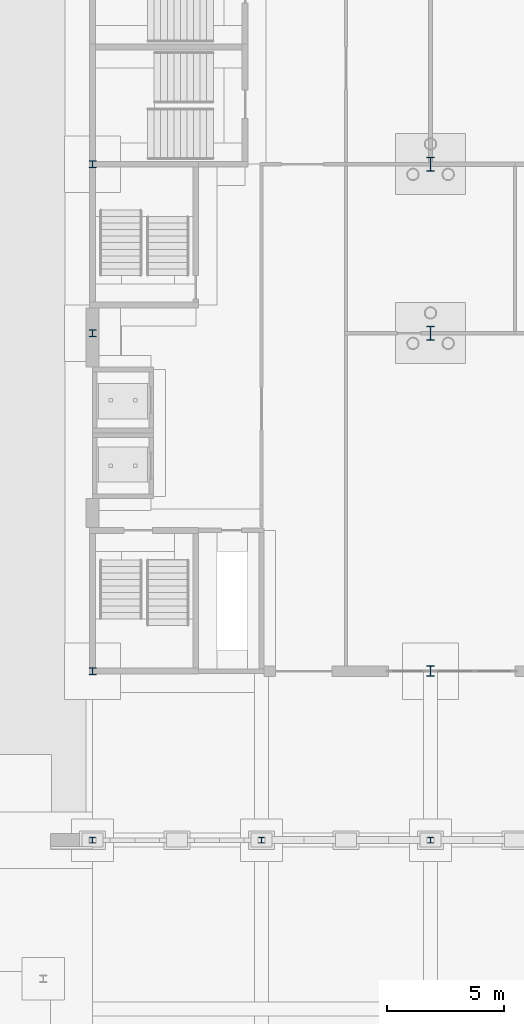
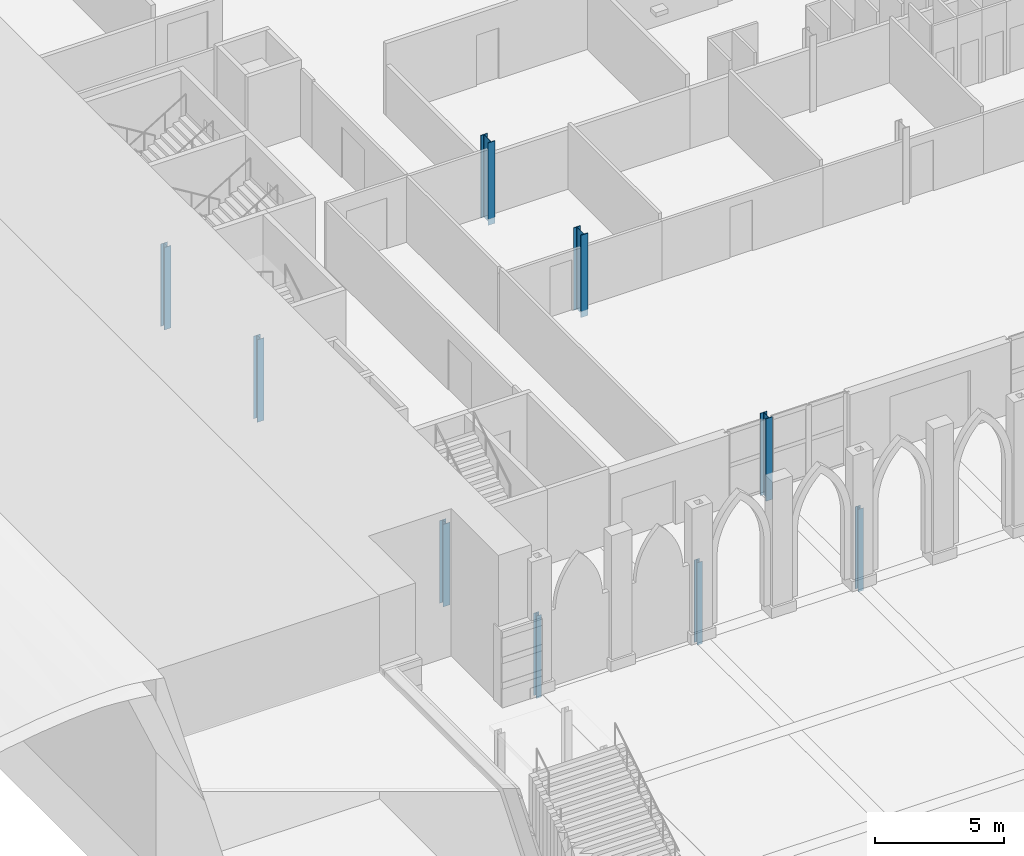
# One storey, part 38 of 148: 9 columns.
"""IFC4 building model written with IfcOpenShell, lengths in metres."""

import ifcopenshell
import ifcopenshell.guid

model = None  # the IFC model being written
_history = None  # IfcOwnerHistory: only IFC2X3 demands one
_inside = {}  # id of a spatial element -> (the spatial element, [elements in it])
_under = {}  # id of a project, library or spatial element -> (it, [spatial elements below it])
_declared = {}  # id of a project -> (the project, [libraries it declares])
_typed = {}  # id of a type object -> (the type object, [elements of that type])
_made_of = {}  # id of a material, layer set ... -> (it, [elements and type objects made of it])


def new_model(schema):
    """Start an empty IFC model of exactly this schema.

    Asked for "IFC4X3", IfcOpenShell would pick the latest addendum, in which some entities
    have other attributes; the version numbers below select the first issue.
    IFC2X3 requires an IfcOwnerHistory on every rooted entity: one is made here for all.
    """
    global model, _history
    if schema == "IFC4X3":
        model = ifcopenshell.file(schema_version=(4, 3, 0, 0))
    else:
        model = ifcopenshell.file(schema=schema)
    _inside.clear()
    _under.clear()
    _declared.clear()
    _typed.clear()
    _made_of.clear()
    _history = None
    if model.schema == "IFC2X3":
        org = make("IfcOrganization", Name="unknown")
        user = make(
            "IfcPersonAndOrganization",
            ThePerson=make("IfcPerson", FamilyName="unknown"),
            TheOrganization=org,
        )
        app = make(
            "IfcApplication",
            ApplicationDeveloper=org,
            Version="unknown",
            ApplicationFullName="unknown",
            ApplicationIdentifier="unknown",
        )
        _history = make(
            "IfcOwnerHistory",
            OwningUser=user,
            OwningApplication=app,
            ChangeAction="ADDED",
            CreationDate=0,
        )
    return model


def make(cls, **values):
    """One entity of the class cls with the attributes given. An attribute that is None is left unset."""
    return model.create_entity(
        cls, **{name: value for name, value in values.items() if value is not None}
    )


def rooted(cls, **values):
    """An entity with a GlobalId (a new one), such as an element, a storey or a relation."""
    return make(cls, GlobalId=ifcopenshell.guid.new(), OwnerHistory=_history, **values)


def si_unit(unit_type, name, prefix=None):
    """IfcSIUnit, for example si_unit("LENGTHUNIT", "METRE", prefix="MILLI")."""
    return make("IfcSIUnit", UnitType=unit_type, Prefix=prefix, Name=name)


def assignment(units):
    """IfcUnitAssignment: the units of a project."""
    return None if units is None else make("IfcUnitAssignment", Units=units)


def point(xyz):
    """IfcCartesianPoint."""
    return None if xyz is None else make("IfcCartesianPoint", Coordinates=xyz)


def direction(xyz):
    """IfcDirection."""
    return None if xyz is None else make("IfcDirection", DirectionRatios=xyz)


def frame(location, z_axis=None, x_axis=None):
    """IfcAxis2Placement3D, a coordinate frame: its origin and axes. An axis left out is left unset."""
    return make(
        "IfcAxis2Placement3D",
        Location=point(location),
        Axis=direction(z_axis),
        RefDirection=direction(x_axis),
    )


def frame_2d(location, x_axis=None):
    """IfcAxis2Placement2D, a coordinate frame in the plane: its origin and x axis."""
    return make(
        "IfcAxis2Placement2D", Location=point(location), RefDirection=direction(x_axis)
    )


def origin():
    """The frame at (0, 0, 0) with its axes left unset."""
    return frame((0.0, 0.0, 0.0))


def origin_2d():
    """The frame at (0, 0) in the plane with its x axis left unset."""
    return frame_2d((0.0, 0.0))


def place(relative_to, where):
    """IfcLocalPlacement: puts the frame where relative to a parent placement (None: the world)."""
    return make(
        "IfcLocalPlacement", PlacementRelTo=relative_to, RelativePlacement=where
    )


def context(
    kind, dimensions, precision=None, world=None, true_north=None, identifier=None
):
    """IfcGeometricRepresentationContext, for example the 3D "Model" context."""
    return make(
        "IfcGeometricRepresentationContext",
        ContextIdentifier=identifier,
        ContextType=kind,
        CoordinateSpaceDimension=dimensions,
        Precision=precision,
        WorldCoordinateSystem=world,
        TrueNorth=true_north,
    )


def subcontext(parent, identifier, kind, view, scale=None):
    """IfcGeometricRepresentationSubContext, for example "Body" below "Model"."""
    return make(
        "IfcGeometricRepresentationSubContext",
        ContextIdentifier=identifier,
        ContextType=kind,
        ParentContext=parent,
        TargetScale=scale,
        TargetView=view,
    )


def project(units=None, contexts=None):
    """IfcProject with its units and contexts."""
    return rooted(
        "IfcProject",
        Name="project",
        RepresentationContexts=contexts,
        UnitsInContext=assignment(units),
    )


def spatial(cls, under=None, at=None, **own):
    """A site, building, storey or space (cls), placed at a placement, below another one or the project."""
    s = rooted(cls, ObjectPlacement=at, **own)
    if under is not None:
        _under.setdefault(under.id(), (under, []))[1].append(s)
    return s


def profile(cls, at=None, kind="AREA", **sizes):
    """A parametric profile (cls). Its sizes go by their IFC names, for example OverallWidth=200.0."""
    return make(cls, ProfileType=kind, Position=at, **sizes)


def i_section(**sizes):
    """IfcIShapeProfileDef."""
    return profile("IfcIShapeProfileDef", **sizes)


def extrude(swept, where, along, depth):
    """IfcExtrudedAreaSolid: the profile swept, set in the frame where, extruded along a direction by depth."""
    return make(
        "IfcExtrudedAreaSolid",
        SweptArea=swept,
        Position=where,
        ExtrudedDirection=direction(along),
        Depth=depth,
    )


def shape(context_of_items, identifier, shape_type, items):
    """IfcShapeRepresentation: the items that make up one representation, for example the "Body"."""
    return make(
        "IfcShapeRepresentation",
        ContextOfItems=context_of_items,
        RepresentationIdentifier=identifier,
        RepresentationType=shape_type,
        Items=items,
    )


def material(Name=None, Category=None):
    """IfcMaterial."""
    return make("IfcMaterial", Name=Name, Category=Category)


def material_profile(
    of_material, cross_section, Name=None, Category=None, Priority=None
):
    """IfcMaterialProfile: a cross section and its material."""
    return make(
        "IfcMaterialProfile",
        Name=Name,
        Material=of_material,
        Profile=cross_section,
        Priority=Priority,
        Category=Category,
    )


def profile_set(profiles, Name=None, composite=None):
    """IfcMaterialProfileSet."""
    return make(
        "IfcMaterialProfileSet",
        Name=Name,
        MaterialProfiles=profiles,
        CompositeProfile=composite,
    )


def made_of(thing, what):
    """Note that an element or type object is made of a material, layer set ...; save() writes the relation."""
    if what is not None:
        _made_of.setdefault(what.id(), (what, []))[1].append(thing)
    return thing


def type_object(cls, material=None, **own):
    """A type object (cls), such as IfcWallType, which elements share."""
    return made_of(rooted(cls, **own), material)


def element(
    cls,
    number,
    at=None,
    inside=None,
    cuts=None,
    type_object=None,
    material=None,
    context=None,
    identifier="Body",
    shape_type=None,
    held_by="IfcProductDefinitionShape",
    body=None,
    shapes=None,
    **own,
):
    """One element of the class cls, such as IfcWall. Its Tag is "e" and its number.

    at: its placement. inside: the storey or other place that contains it. cuts: it is an
    opening in that element (IfcRelVoidsElement). A single representation is given by context,
    identifier, shape_type and body (its items); several are given by shapes. held_by: the class
    of the entity that holds the representations. save() writes the other relations.
    """
    e = rooted(cls, Tag="e%d" % number, ObjectPlacement=at, **own)
    if body is not None:
        shapes = [shape(context, identifier, shape_type, body)]
    if shapes is not None:
        e.Representation = make(held_by, Representations=shapes)
    if inside is not None:
        _inside.setdefault(inside.id(), (inside, []))[1].append(e)
    if cuts is not None:
        rooted(
            "IfcRelVoidsElement", RelatingBuildingElement=cuts, RelatedOpeningElement=e
        )
    if type_object is not None:
        _typed.setdefault(type_object.id(), (type_object, []))[1].append(e)
    return made_of(e, material)


def aggregate(whole, parts):
    """IfcRelAggregates: a whole, such as a stair, and the parts it consists of."""
    return rooted("IfcRelAggregates", RelatingObject=whole, RelatedObjects=parts)


def save(model, path):
    """Write the relations noted so far, then the file.

    IfcRelAggregates (storeys below a building ...), IfcRelContainedInSpatialStructure (elements
    in a storey), IfcRelDefinesByType, IfcRelAssociatesMaterial and IfcRelDeclares: one each for
    every whole, place, type object, material and project.
    """
    for whole, parts in _under.values():
        aggregate(whole, parts)
    for where, things in _inside.values():
        rooted(
            "IfcRelContainedInSpatialStructure",
            RelatedElements=things,
            RelatingStructure=where,
        )
    for kind, things in _typed.values():
        rooted("IfcRelDefinesByType", RelatedObjects=things, RelatingType=kind)
    for what, things in _made_of.values():
        rooted("IfcRelAssociatesMaterial", RelatedObjects=things, RelatingMaterial=what)
    for by, libraries in _declared.values():
        rooted("IfcRelDeclares", RelatingContext=by, RelatedDefinitions=libraries)
    model.write(path)


model = new_model("IFC4")

# Units and contexts
model_context = context("Model", 3, precision=1e-05, world=origin(), true_north=direction((0.0, 1.0)))
body_context = subcontext(model_context, "Body", "Model", "MODEL_VIEW")
ifc_project = project(units=[si_unit("LENGTHUNIT", "METRE"), si_unit("AREAUNIT", "SQUARE_METRE"), si_unit("VOLUMEUNIT", "CUBIC_METRE"), si_unit("PLANEANGLEUNIT", "RADIAN"), si_unit("MASSUNIT", "GRAM", prefix="KILO")], contexts=[model_context])

# Site, building, storey
site_placement = place(None, origin())
site = spatial("IfcSite", under=ifc_project, at=site_placement, CompositionType="ELEMENT")
building_placement = place(site_placement, origin())
building = spatial("IfcBuilding", under=site, at=building_placement, Name="Kupolbacken Congress Centre", CompositionType="ELEMENT")
storey_placement = place(building_placement, origin())
storey = spatial("IfcBuildingStorey", under=building, at=storey_placement, Name="L00", CompositionType="ELEMENT", Elevation=0.0)

# Columns
ifc_material_1 = material(Name="Steel S355", Category="steel")
ifc_material_profile_1 = material_profile(ifc_material_1, i_section(OverallWidth=0.300048828125, OverallDepth=0.449951171875, WebThickness=0.013916015625, FlangeThickness=0.02587890625, FilletRadius=0.027099609375, at=origin_2d()), Name="HEB 450")
ifc_profile_set_1 = profile_set([ifc_material_profile_1], Name="Steel S355")
column_type_1 = type_object("IfcColumnType", Name="C03 column HEB 450", PredefinedType="COLUMN", material=ifc_profile_set_1)
column_placement = place(storey_placement, frame((21.60009765625, 28.800048828125, -0.300048828125), z_axis=(0.0, 0.0, 1.0), x_axis=(1.0, 0.0, 0.0)))
element("IfcColumn", 1, at=column_placement, inside=storey, type_object=column_type_1, Name="S/col/C-F-4E/L00", PredefinedType="COLUMN", context=body_context, shape_type="SweptSolid", body=[
    extrude(i_section(OverallWidth=0.300048828125, OverallDepth=0.449951171875, WebThickness=0.013916015625, FlangeThickness=0.02587890625, FilletRadius=0.027099609375, at=origin_2d()), origin(), (0.0, 0.0, 1.0), 3.900146484375),
])
ifc_material_2 = material(Name="Steel S355", Category="steel")
ifc_material_profile_2 = material_profile(ifc_material_2, i_section(OverallWidth=0.300048828125, OverallDepth=0.60009765625, WebThickness=0.015380859375, FlangeThickness=0.030029296875, FilletRadius=0.027099609375, at=origin_2d()), Name="HEB 600")
ifc_profile_set_2 = profile_set([ifc_material_profile_2], Name="Steel S355")
column_type_2 = type_object("IfcColumnType", Name="C05 column HEB 600", PredefinedType="COLUMN", material=ifc_profile_set_2)
for number, where, z_axis, x_axis, name in (
    (2, (21.60009765625, 43.199951171875, -0.300048828125), (0.0, 0.0, 1.0), (1.0, 0.0, 0.0), "S/col/C-F-4G/L00"),
    (3, (21.60009765625, 50.39990234375, -0.300048828125), (0.0, 0.0, 1.0), (1.0, 0.0, 0.0), "S/col/C-F-4H/L00"),
):
    element("IfcColumn", number, at=place(storey_placement, frame(where, z_axis=z_axis, x_axis=x_axis)), inside=storey, type_object=column_type_2, Name=name, PredefinedType="COLUMN", context=body_context, shape_type="SweptSolid", body=[
        extrude(i_section(OverallWidth=0.300048828125, OverallDepth=0.60009765625, WebThickness=0.015380859375, FlangeThickness=0.030029296875, FilletRadius=0.027099609375, at=origin_2d()), origin(), (0.0, 0.0, 1.0), 3.900146484375),
    ])
ifc_material_3 = material(Name="Steel S355", Category="steel")
ifc_material_profile_3 = material_profile(ifc_material_3, i_section(OverallWidth=0.300048828125, OverallDepth=0.300048828125, WebThickness=0.010986328125, FlangeThickness=0.01904296875, FilletRadius=0.027099609375, at=origin_2d()), Name="HEB 300")
ifc_profile_set_3 = profile_set([ifc_material_profile_3], Name="Steel S355")
column_type_3 = type_object("IfcColumnType", Name="C06 column HEB 300", PredefinedType="COLUMN", material=ifc_profile_set_3)
for number, where, z_axis, x_axis, name in (
    (4, (7.199951171875, 28.800048828125, -0.300048828125), (0.0, 0.0, 1.0), (1.0, 0.0, 0.0), "S/col/C-F-2E/L00"),
    (5, (7.199951171875, 43.199951171875, -0.300048828125), (0.0, 0.0, 1.0), (1.0, 0.0, 0.0), "S/col/C-F-2G/L00"),
    (6, (7.199951171875, 50.39990234375, -0.300048828125), (0.0, 0.0, 1.0), (1.0, 0.0, 0.0), "S/col/C-F-2H/L00"),
):
    element("IfcColumn", number, at=place(storey_placement, frame(where, z_axis=z_axis, x_axis=x_axis)), inside=storey, type_object=column_type_3, Name=name, PredefinedType="COLUMN", context=body_context, shape_type="SweptSolid", body=[
        extrude(i_section(OverallWidth=0.300048828125, OverallDepth=0.300048828125, WebThickness=0.010986328125, FlangeThickness=0.01904296875, FilletRadius=0.027099609375, at=origin_2d()), origin(), (0.0, 0.0, 1.0), 3.900146484375),
    ])
ifc_material_4 = material(Name="Steel S355", Category="steel")
ifc_material_profile_4 = material_profile(ifc_material_4, i_section(OverallWidth=0.239990234375, OverallDepth=0.22998046875, WebThickness=0.007568359375, FlangeThickness=0.011962890625, FilletRadius=0.02099609375, at=origin_2d()), Name="HEA 240")
ifc_profile_set_4 = profile_set([ifc_material_profile_4], Name="Steel S355")
column_type_4 = type_object("IfcColumnType", Name="C10 column HEA 240", PredefinedType="COLUMN", material=ifc_profile_set_4)
for number, where, z_axis, x_axis, name in (
    (7, (7.199951171875, 21.60009765625, -0.300048828125), (0.0, 0.0, 1.0), (1.0, 0.0, 0.0), "S/col/C-AR-2/L00"),
    (8, (14.39990234375, 21.60009765625, -0.300048828125), (0.0, 0.0, 1.0), (1.0, 0.0, 0.0), "S/col/C-AR-3/L00"),
    (9, (21.60009765625, 21.60009765625, -0.300048828125), (0.0, 0.0, 1.0), (1.0, 0.0, 0.0), "S/col/C-AR-4/L00"),
):
    element("IfcColumn", number, at=place(storey_placement, frame(where, z_axis=z_axis, x_axis=x_axis)), inside=storey, type_object=column_type_4, Name=name, PredefinedType="COLUMN", context=body_context, shape_type="SweptSolid", body=[
        extrude(i_section(OverallWidth=0.239990234375, OverallDepth=0.22998046875, WebThickness=0.007568359375, FlangeThickness=0.011962890625, FilletRadius=0.02099609375, at=origin_2d()), origin(), (0.0, 0.0, 1.0), 3.900146484375),
    ])

save(model, "model.ifc")
